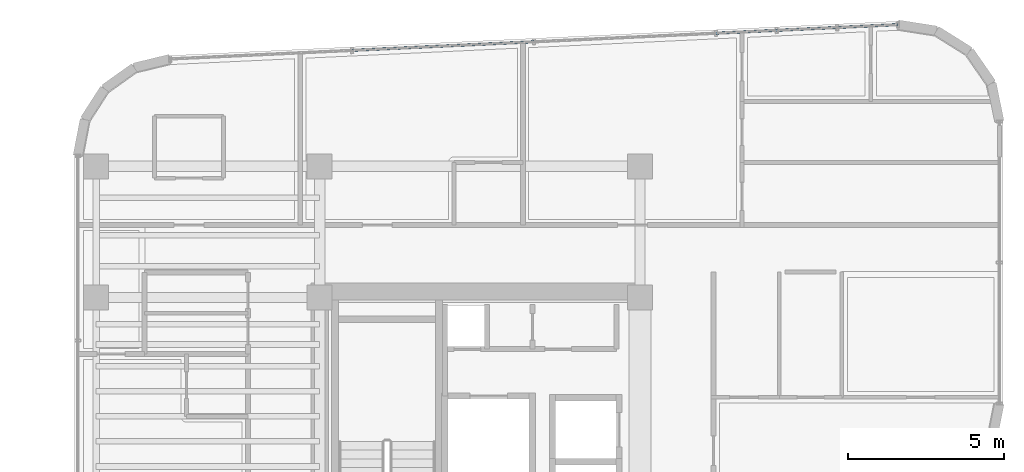
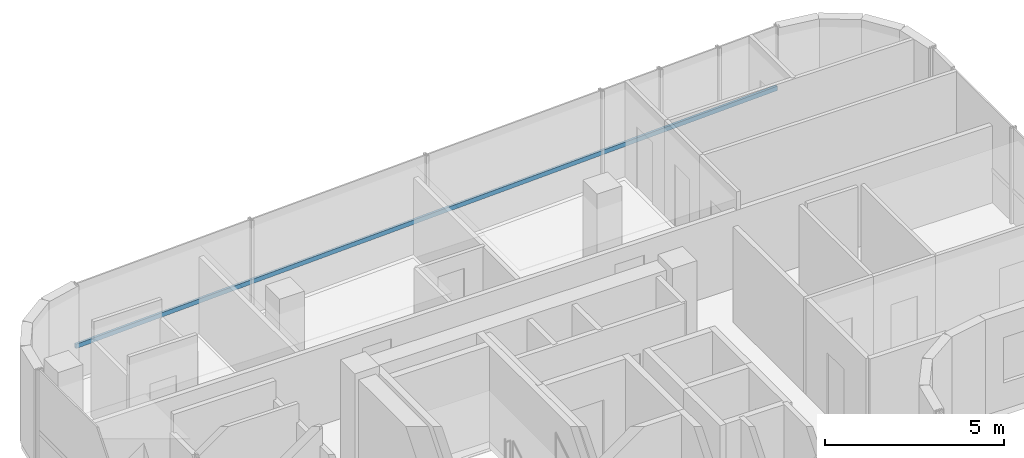
# One storey, part 11 of 19: 1 member, 1 element without a shape of its own.
"""IFC4 building model written with IfcOpenShell, lengths in metres."""

from ifc_helpers import new_model, si_unit, direction, frame, origin, origin_2d, place, context, subcontext, project, spatial, hollow_rectangle, extrude, source, transform, mapped, material, material_profile, profile_set, type_object, element, aggregate, save


model = new_model("IFC4")

# Units and contexts
model_context = context("Model", 3, precision=1e-05, world=origin(), true_north=direction((0.0, 1.0)))
body_context = subcontext(model_context, "Body", "Model", "MODEL_VIEW")
ifc_project = project(units=[si_unit("LENGTHUNIT", "METRE"), si_unit("AREAUNIT", "SQUARE_METRE"), si_unit("VOLUMEUNIT", "CUBIC_METRE"), si_unit("PLANEANGLEUNIT", "RADIAN"), si_unit("MASSUNIT", "GRAM", prefix="KILO")], contexts=[model_context])

# Site, building, storey
site_placement = place(None, origin())
site = spatial("IfcSite", under=ifc_project, at=site_placement, CompositionType="ELEMENT")
building_placement = place(site_placement, origin())
building = spatial("IfcBuilding", under=site, at=building_placement, Name="Valdorenza Pilgrim Sanctuary Tower", CompositionType="ELEMENT")
storey_placement = place(building_placement, frame((0.0, 0.0, 269.5)))
storey = spatial("IfcBuildingStorey", under=building, at=storey_placement, Name="L70", CompositionType="ELEMENT", Elevation=269.5)

# Curtain wall, member
ifc_material_1 = material(Name="Curtain-wall IGU glazing", Category="glass")
curtain_wall_type = type_object("IfcCurtainWallType", Name="CW-SYS-02", PredefinedType="NOTDEFINED", material=ifc_material_1)
curtain_wall_placement = place(storey_placement, origin())
curtain_wall = element("IfcCurtainWall", 1, at=curtain_wall_placement, inside=storey, type_object=curtain_wall_type, Name="L70 Curtain Wall CW-L70-1-6", PredefinedType="NOTDEFINED")
ifc_material_2 = material(Name="Anodised aluminium AW-6060", Category="aluminium")
ifc_material_profile = material_profile(ifc_material_2, hollow_rectangle(XDim=0.074951171875, YDim=0.14990234375, WallThickness=0.00390625, at=origin_2d()), Name="ALU-T 150x75x4")
ifc_profile_set = profile_set([ifc_material_profile], Name="Anodised aluminium AW-6060")
member_type = type_object("IfcMemberType", Name="CW-TRN-02", PredefinedType="USERDEFINED", material=ifc_profile_set)
shared_shape = source(origin(), body_context, "Body", "SweptSolid", [
    extrude(hollow_rectangle(XDim=0.074951171875, YDim=0.14990234375, WallThickness=0.00390625, at=origin_2d()), origin(), (0.0, 0.0, 1.0), 23.30419921875),
])
member_placement = place(storey_placement, frame((-27.43505859375, 18.234375, 1.1201171875), z_axis=(0.998890613053, 0.04709079693, 0.0), x_axis=(-0.04709079693, 0.998890613053, 0.0)))
member = element("IfcMember", 2, at=member_placement, type_object=member_type, Name="CW-L70-1-6 Transom 1", ObjectType="TRANSOM", PredefinedType="USERDEFINED", context=body_context, shape_type="MappedRepresentation", body=[
    mapped(shared_shape, transform((0.0, 0.0, 0.0), x_axis=(1.0, 0.0, 0.0), y_axis=(0.0, 1.0, 0.0), z_axis=(0.0, 0.0, 1.0), scale=1.0)),
])
aggregate(curtain_wall, [member])

save(model, "model.ifc")
